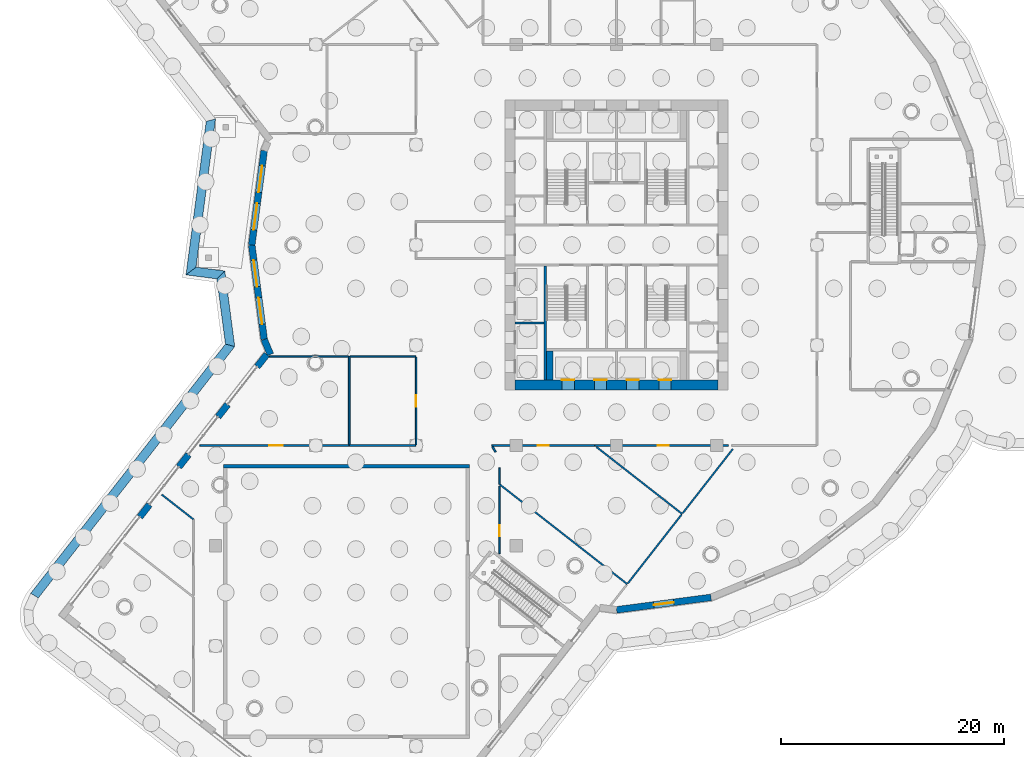
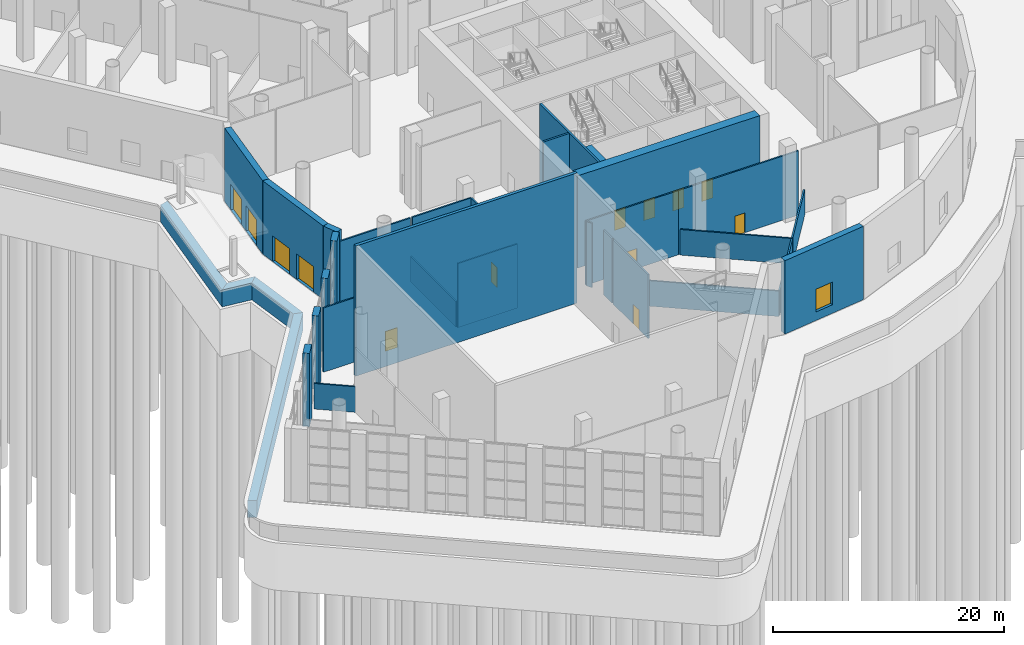
# One storey, part 12 of 34: 33 walls, 13 doors, 1 window, 14 openings.
"""IFC4 building model written with IfcOpenShell, lengths in metres."""

from ifc_helpers import new_model, si_unit, direction, frame, frame_2d, origin, place, context, subcontext, project, spatial, polyline, rectangle, outline, extrude, material, layer, layer_set, type_object, element, fill, save


model = new_model("IFC4")

# Units and contexts
model_context = context("Model", 3, precision=1e-05, world=origin(), true_north=direction((0.0, 1.0)))
body_context = subcontext(model_context, "Body", "Model", "MODEL_VIEW")
ifc_project = project(units=[si_unit("LENGTHUNIT", "METRE"), si_unit("AREAUNIT", "SQUARE_METRE"), si_unit("VOLUMEUNIT", "CUBIC_METRE"), si_unit("PLANEANGLEUNIT", "RADIAN"), si_unit("MASSUNIT", "GRAM", prefix="KILO")], contexts=[model_context])

# Site, building, storey
site_placement = place(None, origin())
site = spatial("IfcSite", under=ifc_project, at=site_placement, CompositionType="ELEMENT")
building_placement = place(site_placement, origin())
building = spatial("IfcBuilding", under=site, at=building_placement, Name="Tarsis Ring Headquarters", CompositionType="ELEMENT")
storey_placement = place(building_placement, origin())
storey = spatial("IfcBuildingStorey", under=building, at=storey_placement, Name="L00", CompositionType="ELEMENT", Elevation=0.0)

# Wall, openings, doors
ifc_material_1 = material(Name="Concrete C60/75", Category="concrete")
ifc_layer_1 = layer(ifc_material_1, 0.89990234375)
ifc_layer_set_1 = layer_set([ifc_layer_1], Name="Core wall 900 C60/75")
wall_type_1 = type_object("IfcWallType", Name="Core wall 900 C60/75", PredefinedType="SHEAR", material=ifc_layer_set_1)
wall_1_placement = place(storey_placement, frame((-9.10009765625, -12.550048828125, -2.0), z_axis=(0.0, 0.0, 1.0), x_axis=(1.0, 0.0, 0.0)))
wall_1 = element("IfcWall", 1, at=wall_1_placement, inside=storey, type_object=wall_type_1, Name="Core wall OS", PredefinedType="SHEAR", context=body_context, shape_type="SweptSolid", body=[
    extrude(rectangle(XDim=18.2001953125, YDim=0.89990234375, at=frame_2d((9.10009765625, 0.0))), origin(), (0.0, 0.0, 1.0), 9.75),
])
opening_1_placement = place(wall_1_placement, frame((4.199951171875, 0.0, 2.0)))
opening_1 = element("IfcOpeningElement", 2, at=opening_1_placement, cuts=wall_1, Name="Opening LD-S581", PredefinedType="OPENING", context=body_context, shape_type="SweptSolid", body=[
    extrude(rectangle(XDim=1.10009765625, YDim=2.10009765625, at=frame_2d((0.550048828125, 1.050048828125))), frame((0.0, 0.4599609375, 0.0), z_axis=(0.0, -1.0, 0.0), x_axis=(1.0, 0.0, 0.0)), (0.0, 0.0, 1.0), 0.919921875),
])
opening_2_placement = place(wall_1_placement, frame((7.10009765625, 0.0, 2.0)))
opening_2 = element("IfcOpeningElement", 3, at=opening_2_placement, cuts=wall_1, Name="Opening LD-S582", PredefinedType="OPENING", context=body_context, shape_type="SweptSolid", body=[
    extrude(rectangle(XDim=1.10009765625, YDim=2.10009765625, at=frame_2d((0.550048828125, 1.050048828125))), frame((0.0, 0.4599609375, 0.0), z_axis=(0.0, -1.0, 0.0), x_axis=(1.0, 0.0, 0.0)), (0.0, 0.0, 1.0), 0.919921875),
])
opening_3_placement = place(wall_1_placement, frame((10.0, 0.0, 2.0)))
opening_3 = element("IfcOpeningElement", 4, at=opening_3_placement, cuts=wall_1, Name="Opening LD-S583", PredefinedType="OPENING", context=body_context, shape_type="SweptSolid", body=[
    extrude(rectangle(XDim=1.10009765625, YDim=2.10009765625, at=frame_2d((0.550048828125, 1.050048828125))), frame((0.0, 0.4599609375, 0.0), z_axis=(0.0, -1.0, 0.0), x_axis=(1.0, 0.0, 0.0)), (0.0, 0.0, 1.0), 0.919921875),
])
opening_4_placement = place(wall_1_placement, frame((12.89990234375, 0.0, 2.0)))
opening_4 = element("IfcOpeningElement", 5, at=opening_4_placement, cuts=wall_1, Name="Opening LD-S584", PredefinedType="OPENING", context=body_context, shape_type="SweptSolid", body=[
    extrude(rectangle(XDim=1.10009765625, YDim=2.10009765625, at=frame_2d((0.550048828125, 1.050048828125))), frame((0.0, 0.4599609375, 0.0), z_axis=(0.0, -1.0, 0.0), x_axis=(1.0, 0.0, 0.0)), (0.0, 0.0, 1.0), 0.919921875),
])
ifc_material_2 = material(Name="Steel S355", Category="steel")
door_type_1 = type_object("IfcDoorType", Name="Landing door 1100x2100", OperationType="SLIDING_TO_LEFT", PredefinedType="DOOR", material=ifc_material_2)
door_1_placement = place(opening_1_placement, origin())
door_1 = element("IfcDoor", 6, at=door_1_placement, inside=storey, type_object=door_type_1, Name="Landing door S581 L00", OperationType="SLIDING_TO_LEFT", OverallHeight=2.10009765625, OverallWidth=1.10009765625, PredefinedType="DOOR", context=body_context, shape_type="SweptSolid", body=[
    extrude(rectangle(XDim=1.10009765625, YDim=2.10009765625, at=frame_2d((0.550048828125, 1.050048828125))), frame((0.0, 0.4501953125, 0.0), z_axis=(0.0, -1.0, 0.0), x_axis=(1.0, 0.0, 0.0)), (0.0, 0.0, 1.0), 0.050048828125),
])
fill(opening_1, door_1)
door_2_placement = place(opening_2_placement, origin())
door_2 = element("IfcDoor", 7, at=door_2_placement, inside=storey, type_object=door_type_1, Name="Landing door S582 L00", OperationType="SLIDING_TO_LEFT", OverallHeight=2.10009765625, OverallWidth=1.10009765625, PredefinedType="DOOR", context=body_context, shape_type="SweptSolid", body=[
    extrude(rectangle(XDim=1.10009765625, YDim=2.10009765625, at=frame_2d((0.550048828125, 1.050048828125))), frame((0.0, 0.4501953125, 0.0), z_axis=(0.0, -1.0, 0.0), x_axis=(1.0, 0.0, 0.0)), (0.0, 0.0, 1.0), 0.050048828125),
])
fill(opening_2, door_2)
door_3_placement = place(opening_3_placement, origin())
door_3 = element("IfcDoor", 8, at=door_3_placement, inside=storey, type_object=door_type_1, Name="Landing door S583 L00", OperationType="SLIDING_TO_LEFT", OverallHeight=2.10009765625, OverallWidth=1.10009765625, PredefinedType="DOOR", context=body_context, shape_type="SweptSolid", body=[
    extrude(rectangle(XDim=1.10009765625, YDim=2.10009765625, at=frame_2d((0.550048828125, 1.050048828125))), frame((0.0, 0.4501953125, 0.0), z_axis=(0.0, -1.0, 0.0), x_axis=(1.0, 0.0, 0.0)), (0.0, 0.0, 1.0), 0.050048828125),
])
fill(opening_3, door_3)
door_4_placement = place(opening_4_placement, origin())
door_4 = element("IfcDoor", 9, at=door_4_placement, inside=storey, type_object=door_type_1, Name="Landing door S584 L00", OperationType="SLIDING_TO_LEFT", OverallHeight=2.10009765625, OverallWidth=1.10009765625, PredefinedType="DOOR", context=body_context, shape_type="SweptSolid", body=[
    extrude(rectangle(XDim=1.10009765625, YDim=2.10009765625, at=frame_2d((0.550048828125, 1.050048828125))), frame((0.0, 0.4501953125, 0.0), z_axis=(0.0, -1.0, 0.0), x_axis=(1.0, 0.0, 0.0)), (0.0, 0.0, 1.0), 0.050048828125),
])
fill(opening_4, door_4)

# Walls
ifc_material_3 = material(Name="Concrete C40/50", Category="concrete")
ifc_layer_2 = layer(ifc_material_3, 0.800048828125)
ifc_layer_set_2 = layer_set([ifc_layer_2], Name="FD Plinth wall 800")
wall_type_2 = type_object("IfcWallType", Name="FD Plinth wall 800", PredefinedType="SOLIDWALL", material=ifc_layer_set_2)
wall_2_placement = place(storey_placement, frame((0.0, 0.0, -2.0)))
element("IfcWall", 10, at=wall_2_placement, inside=storey, type_object=wall_type_2, Name="Plinth wall 25", PredefinedType="SOLIDWALL", context=body_context, shape_type="SweptSolid", body=[
    extrude(outline(polyline([(-36.843994140625, 11.099609375), (-38.65771484375, -2.677001953125), (-37.76025390625, -1.98828125), (-36.007080078125, 11.327392578125), (-36.843994140625, 11.099609375)])), origin(), (0.0, 0.0, 1.0), 1.800048828125),
])
wall_3_placement = place(storey_placement, frame((0.0, 0.0, -2.0)))
element("IfcWall", 11, at=wall_3_placement, inside=storey, type_object=wall_type_2, Name="Plinth wall 26", PredefinedType="SOLIDWALL", context=body_context, shape_type="SweptSolid", body=[
    extrude(outline(polyline([(-38.65771484375, -2.677001953125), (-35.887451171875, -3.041748046875), (-35.174560546875, -2.32861328125), (-37.76025390625, -1.98828125), (-38.65771484375, -2.677001953125)])), origin(), (0.0, 0.0, 1.0), 1.800048828125),
])
wall_4_placement = place(storey_placement, frame((0.0, 0.0, -2.0)))
element("IfcWall", 12, at=wall_4_placement, inside=storey, type_object=wall_type_2, Name="Plinth wall 27", PredefinedType="SOLIDWALL", context=body_context, shape_type="SweptSolid", body=[
    extrude(outline(polyline([(-35.887451171875, -3.041748046875), (-35.11767578125, -8.889892578125), (-34.28076171875, -9.117919921875), (-35.174560546875, -2.32861328125), (-35.887451171875, -3.041748046875)])), origin(), (0.0, 0.0, 1.0), 1.800048828125),
])
wall_5_placement = place(storey_placement, frame((0.0, 0.0, -2.0)))
element("IfcWall", 13, at=wall_5_placement, inside=storey, type_object=wall_type_2, Name="Plinth wall 28", PredefinedType="SOLIDWALL", context=body_context, shape_type="SweptSolid", body=[
    extrude(outline(polyline([(-35.11767578125, -8.889892578125), (-52.60595703125, -31.27392578125), (-51.91552734375, -31.689453125), (-34.28076171875, -9.117919921875), (-35.11767578125, -8.889892578125)])), origin(), (0.0, 0.0, 1.0), 1.800048828125),
])
ifc_material_4 = material(Name="Plasterboard partition")
ifc_layer_3 = layer(ifc_material_4, 0.14990234375)
ifc_layer_set_3 = layer_set([ifc_layer_3], Name="PO-PW150")
wall_type_3 = type_object("IfcWallType", Name="PO-PW150", PredefinedType="PARTITIONING", material=ifc_layer_set_3)
wall_6_placement = place(storey_placement, frame((-10.5, -21.491455078125, 0.0), z_axis=(0.0, 0.0, 1.0), x_axis=(0.788008847943, -0.615663914456, 0.0)))
element("IfcWall", 14, at=wall_6_placement, inside=storey, type_object=wall_type_3, Name="L00 partition wall 6", PredefinedType="PARTITIONING", context=body_context, shape_type="SweptSolid", body=[
    extrude(rectangle(XDim=14.542724609375, YDim=0.14990234375, at=frame_2d((7.271484375, 0.0))), origin(), (0.0, 0.0, 1.0), 2.699951171875),
])
wall_7_placement = place(storey_placement, frame((-1.801513671875, -18.135498046875, 0.0), z_axis=(0.0, 0.0, 1.0), x_axis=(0.78801071311, -0.615661527159, 0.0)))
element("IfcWall", 15, at=wall_7_placement, inside=storey, type_object=wall_type_3, Name="L00 partition wall 24", PredefinedType="PARTITIONING", context=body_context, shape_type="SweptSolid", body=[
    extrude(rectangle(XDim=9.75439453125, YDim=0.14990234375, at=frame_2d((4.877197265625, 0.0))), origin(), (0.0, 0.0, 1.0), 2.699951171875),
])
wall_8_placement = place(storey_placement, frame((-24.0, -17.919921875, 0.0), z_axis=(0.0, 0.0, 1.0), x_axis=(0.0, 1.0, 0.0)))
element("IfcWall", 16, at=wall_8_placement, inside=storey, type_object=wall_type_3, Name="L00 partition wall 35", PredefinedType="PARTITIONING", context=body_context, shape_type="SweptSolid", body=[
    extrude(rectangle(XDim=7.919921875, YDim=0.14990234375, at=frame_2d((3.9599609375, 0.0))), origin(), (0.0, 0.0, 1.0), 2.699951171875),
])
wall_9_placement = place(storey_placement, frame((1.009033203125, -30.3818359375, 0.0), z_axis=(0.0, 0.0, 1.0), x_axis=(0.61565310656, 0.788017291932, 0.0)))
element("IfcWall", 17, at=wall_9_placement, inside=storey, type_object=wall_type_3, Name="L00 partition wall 36", PredefinedType="PARTITIONING", context=body_context, shape_type="SweptSolid", body=[
    extrude(rectangle(XDim=7.83984375, YDim=0.14990234375, at=frame_2d((3.919921875, 0.0))), origin(), (0.0, 0.0, 1.0), 2.699951171875),
])
wall_10_placement = place(storey_placement, frame((10.441650390625, -18.31005859375, 0.0), z_axis=(0.0, 0.0, 1.0), x_axis=(-0.615652455891, -0.788017800278, 0.0)))
element("IfcWall", 18, at=wall_10_placement, inside=storey, type_object=wall_type_3, Name="L00 partition wall 43", PredefinedType="PARTITIONING", context=body_context, shape_type="SweptSolid", body=[
    extrude(rectangle(XDim=7.320068359375, YDim=0.14990234375, at=frame_2d((3.66015625, 0.0))), origin(), (0.0, 0.0, 1.0), 2.699951171875),
])
wall_11_placement = place(storey_placement, frame((-38.0, -24.625244140625, 0.0), z_axis=(0.0, 0.0, 1.0), x_axis=(-0.78798343167, 0.615696444211, 0.0)))
element("IfcWall", 19, at=wall_11_placement, inside=storey, type_object=wall_type_3, Name="L00 partition wall 74", PredefinedType="PARTITIONING", context=body_context, shape_type="SweptSolid", body=[
    extrude(rectangle(XDim=3.6162109375, YDim=0.14990234375, at=frame_2d((1.80810546875, 0.0))), origin(), (0.0, 0.0, 1.0), 2.699951171875),
])

# Wall, opening, door
ifc_layer_4 = layer(ifc_material_4, 0.14990234375)
ifc_layer_set_4 = layer_set([ifc_layer_4], Name="PO-PW150R-6783")
wall_type_4 = type_object("IfcWallType", Name="PO-PW150R-6783", PredefinedType="PARTITIONING", material=ifc_layer_set_4)
wall_12_placement = place(storey_placement, frame((-37.4130859375, -18.0, 0.0), z_axis=(0.0, 0.0, 1.0), x_axis=(1.0, 0.0, 0.0)))
wall_12 = element("IfcWall", 20, at=wall_12_placement, inside=storey, type_object=wall_type_4, Name="L00 partition wall 8", PredefinedType="PARTITIONING", context=body_context, shape_type="SweptSolid", body=[
    extrude(rectangle(XDim=13.4130859375, YDim=0.14990234375, at=frame_2d((6.70654296875, 0.0))), origin(), (0.0, 0.0, 1.0), 6.782958984375),
])
opening_5_placement = place(wall_12_placement, frame((6.223876953125, 0.0, 0.0)))
opening_5 = element("IfcOpeningElement", 21, at=opening_5_placement, cuts=wall_12, Name="Opening PO-D2", PredefinedType="OPENING", context=body_context, shape_type="SweptSolid", body=[
    extrude(rectangle(XDim=1.199951171875, YDim=2.10009765625, at=frame_2d((0.60009765625, 1.050048828125))), frame((0.0, 0.0849609375, 0.0), z_axis=(0.0, -1.0, 0.0), x_axis=(1.0, 0.0, 0.0)), (0.0, 0.0, 1.0), 0.169921875),
])
ifc_material_5 = material(Name="Timber door", Category="wood")
door_type_2 = type_object("IfcDoorType", Name="PO-D1200", OperationType="NOTDEFINED", PredefinedType="DOOR", material=ifc_material_5)
door_5_placement = place(opening_5_placement, origin())
door_5 = element("IfcDoor", 22, at=door_5_placement, inside=storey, type_object=door_type_2, Name="Visitor centre door", OperationType="SINGLE_SWING_RIGHT", OverallHeight=2.10009765625, OverallWidth=1.199951171875, PredefinedType="DOOR", context=body_context, shape_type="SweptSolid", body=[
    extrude(rectangle(XDim=1.199951171875, YDim=2.10009765625, at=frame_2d((0.60009765625, 1.050048828125))), frame((0.0, 0.02490234375, 0.0), z_axis=(0.0, -1.0, 0.0), x_axis=(1.0, 0.0, 0.0)), (0.0, 0.0, 1.0), 0.050048828125),
])
fill(opening_5, door_5)

wall_13_placement = place(storey_placement, frame((10.044677734375, -18.0, 0.0), z_axis=(0.0, 0.0, 1.0), x_axis=(-1.0, 0.0, 0.0)))
wall_13 = element("IfcWall", 23, at=wall_13_placement, inside=storey, type_object=wall_type_4, Name="L00 partition wall 10", PredefinedType="PARTITIONING", context=body_context, shape_type="SweptSolid", body=[
    extrude(rectangle(XDim=12.01953125, YDim=0.14990234375, at=frame_2d((6.009765625, 0.0))), origin(), (0.0, 0.0, 1.0), 6.782958984375),
])
opening_6_placement = place(wall_13_placement, frame((5.3701171875, 0.0, 0.0)))
opening_6 = element("IfcOpeningElement", 24, at=opening_6_placement, cuts=wall_13, Name="Opening PO-D1", PredefinedType="OPENING", context=body_context, shape_type="SweptSolid", body=[
    extrude(rectangle(XDim=1.0, YDim=2.10009765625, at=frame_2d((0.5, 1.050048828125))), frame((0.0, 0.0849609375, 0.0), z_axis=(0.0, -1.0, 0.0), x_axis=(1.0, 0.0, 0.0)), (0.0, 0.0, 1.0), 0.169921875),
])
door_type_3 = type_object("IfcDoorType", Name="PO-D1000", OperationType="NOTDEFINED", PredefinedType="DOOR", material=ifc_material_5)
door_6_placement = place(opening_6_placement, origin())
door_6 = element("IfcDoor", 25, at=door_6_placement, inside=storey, type_object=door_type_3, Name="Dressing room door", OperationType="SINGLE_SWING_RIGHT", OverallHeight=2.10009765625, OverallWidth=1.0, PredefinedType="DOOR", context=body_context, shape_type="SweptSolid", body=[
    extrude(rectangle(XDim=1.0, YDim=2.10009765625, at=frame_2d((0.5, 1.050048828125))), frame((0.0, 0.02490234375, 0.0), z_axis=(0.0, -1.0, 0.0), x_axis=(1.0, 0.0, 0.0)), (0.0, 0.0, 1.0), 0.050048828125),
])
fill(opening_6, door_6)

wall_14_placement = place(storey_placement, frame((-1.974853515625, -18.0, 0.0), z_axis=(0.0, 0.0, 1.0), x_axis=(-1.0, 0.0, 0.0)))
wall_14 = element("IfcWall", 26, at=wall_14_placement, inside=storey, type_object=wall_type_4, Name="L00 partition wall 27", PredefinedType="PARTITIONING", context=body_context, shape_type="SweptSolid", body=[
    extrude(rectangle(XDim=9.212890625, YDim=0.14990234375, at=frame_2d((4.6064453125, 0.0))), origin(), (0.0, 0.0, 1.0), 6.782958984375),
])
opening_7_placement = place(wall_14_placement, frame((4.1201171875, 0.0, 0.0)))
opening_7 = element("IfcOpeningElement", 27, at=opening_7_placement, cuts=wall_14, Name="Opening PO-D1", PredefinedType="OPENING", context=body_context, shape_type="SweptSolid", body=[
    extrude(rectangle(XDim=1.0, YDim=2.10009765625, at=frame_2d((0.5, 1.050048828125))), frame((0.0, 0.0849609375, 0.0), z_axis=(0.0, -1.0, 0.0), x_axis=(1.0, 0.0, 0.0)), (0.0, 0.0, 1.0), 0.169921875),
])
door_7_placement = place(opening_7_placement, origin())
door_7 = element("IfcDoor", 28, at=door_7_placement, inside=storey, type_object=door_type_3, Name="Green room door", OperationType="SINGLE_SWING_LEFT", OverallHeight=2.10009765625, OverallWidth=1.0, PredefinedType="DOOR", context=body_context, shape_type="SweptSolid", body=[
    extrude(rectangle(XDim=1.0, YDim=2.10009765625, at=frame_2d((0.5, 1.050048828125))), frame((0.0, 0.02490234375, 0.0), z_axis=(0.0, -1.0, 0.0), x_axis=(1.0, 0.0, 0.0)), (0.0, 0.0, 1.0), 0.050048828125),
])
fill(opening_7, door_7)

wall_15_placement = place(storey_placement, frame((-18.0, -17.940185546875, 0.0), z_axis=(0.0, 0.0, 1.0), x_axis=(0.0, 1.0, 0.0)))
wall_15 = element("IfcWall", 29, at=wall_15_placement, inside=storey, type_object=wall_type_4, Name="L00 partition wall 40", PredefinedType="PARTITIONING", context=body_context, shape_type="SweptSolid", body=[
    extrude(rectangle(XDim=7.880126953125, YDim=0.14990234375, at=frame_2d((3.93994140625, 0.0))), origin(), (0.0, 0.0, 1.0), 6.782958984375),
])
opening_8_placement = place(wall_15_placement, frame((3.440185546875, 0.0, 0.0)))
opening_8 = element("IfcOpeningElement", 30, at=opening_8_placement, cuts=wall_15, Name="Opening PO-D1", PredefinedType="OPENING", context=body_context, shape_type="SweptSolid", body=[
    extrude(rectangle(XDim=1.0, YDim=2.10009765625, at=frame_2d((0.5, 1.050048828125))), frame((0.0, 0.0849609375, 0.0), z_axis=(0.0, -1.0, 0.0), x_axis=(1.0, 0.0, 0.0)), (0.0, 0.0, 1.0), 0.169921875),
])
door_8_placement = place(opening_8_placement, origin())
door_8 = element("IfcDoor", 31, at=door_8_placement, inside=storey, type_object=door_type_3, Name="Information office door", OperationType="SINGLE_SWING_LEFT", OverallHeight=2.10009765625, OverallWidth=1.0, PredefinedType="DOOR", context=body_context, shape_type="SweptSolid", body=[
    extrude(rectangle(XDim=1.0, YDim=2.10009765625, at=frame_2d((0.5, 1.050048828125))), frame((0.0, 0.02490234375, 0.0), z_axis=(0.0, -1.0, 0.0), x_axis=(1.0, 0.0, 0.0)), (0.0, 0.0, 1.0), 0.050048828125),
])
fill(opening_8, door_8)

# Wall
wall_16_placement = place(storey_placement, frame((-24.080078125, -10.0, 0.0), z_axis=(0.0, 0.0, 1.0), x_axis=(-1.0, 0.0, 0.0)))
element("IfcWall", 32, at=wall_16_placement, inside=storey, type_object=wall_type_4, Name="L00 partition wall 45", PredefinedType="PARTITIONING", context=body_context, shape_type="SweptSolid", body=[
    extrude(rectangle(XDim=7.082763671875, YDim=0.14990234375, at=frame_2d((3.54150390625, 0.0))), origin(), (0.0, 0.0, 1.0), 6.782958984375),
])

# Wall, opening, door
wall_17_placement = place(storey_placement, frame((-10.5, -21.651611328125, 0.0), z_axis=(0.0, 0.0, 1.0), x_axis=(0.0, -1.0, 0.0)))
wall_17 = element("IfcWall", 33, at=wall_17_placement, inside=storey, type_object=wall_type_4, Name="L00 partition wall 53", PredefinedType="PARTITIONING", context=body_context, shape_type="SweptSolid", body=[
    extrude(rectangle(XDim=6.0537109375, YDim=0.14990234375, at=frame_2d((3.02685546875, 0.0))), origin(), (0.0, 0.0, 1.0), 6.782958984375),
])
opening_9_placement = place(wall_17_placement, frame((3.488525390625, 0.0, 0.0)))
opening_9 = element("IfcOpeningElement", 34, at=opening_9_placement, cuts=wall_17, Name="Opening PO-D1", PredefinedType="OPENING", context=body_context, shape_type="SweptSolid", body=[
    extrude(rectangle(XDim=1.0, YDim=2.10009765625, at=frame_2d((0.5, 1.050048828125))), frame((0.0, 0.0849609375, 0.0), z_axis=(0.0, -1.0, 0.0), x_axis=(1.0, 0.0, 0.0)), (0.0, 0.0, 1.0), 0.169921875),
])
door_9_placement = place(opening_9_placement, origin())
door_9 = element("IfcDoor", 35, at=door_9_placement, inside=storey, type_object=door_type_3, Name="Stage workshop door", OperationType="SINGLE_SWING_RIGHT", OverallHeight=2.10009765625, OverallWidth=1.0, PredefinedType="DOOR", context=body_context, shape_type="SweptSolid", body=[
    extrude(rectangle(XDim=1.0, YDim=2.10009765625, at=frame_2d((0.5, 1.050048828125))), frame((0.0, 0.02490234375, 0.0), z_axis=(0.0, -1.0, 0.0), x_axis=(1.0, 0.0, 0.0)), (0.0, 0.0, 1.0), 0.050048828125),
])
fill(opening_9, door_9)

# Walls
wall_18_placement = place(storey_placement, frame((-24.0, -18.0, 0.0), z_axis=(0.0, 0.0, 1.0), x_axis=(1.0, 0.0, 0.0)))
element("IfcWall", 36, at=wall_18_placement, inside=storey, type_object=wall_type_4, Name="L00 partition wall 58", PredefinedType="PARTITIONING", context=body_context, shape_type="SweptSolid", body=[
    extrude(rectangle(XDim=5.9599609375, YDim=0.14990234375, at=frame_2d((2.97998046875, 0.0))), origin(), (0.0, 0.0, 1.0), 6.782958984375),
])
wall_19_placement = place(storey_placement, frame((-18.0400390625, -10.0, 0.0), z_axis=(0.0, 0.0, 1.0), x_axis=(-1.0, 0.0, 0.0)))
element("IfcWall", 37, at=wall_19_placement, inside=storey, type_object=wall_type_4, Name="L00 partition wall 59", PredefinedType="PARTITIONING", context=body_context, shape_type="SweptSolid", body=[
    extrude(rectangle(XDim=5.8798828125, YDim=0.14990234375, at=frame_2d((2.93994140625, 0.0))), origin(), (0.0, 0.0, 1.0), 6.782958984375),
])
wall_20_placement = place(storey_placement, frame((-10.5, -20.0, 0.0), z_axis=(0.0, 0.0, 1.0), x_axis=(0.0, -1.0, 0.0)))
element("IfcWall", 38, at=wall_20_placement, inside=storey, type_object=wall_type_4, Name="L00 partition wall 93", PredefinedType="PARTITIONING", context=body_context, shape_type="SweptSolid", body=[
    extrude(rectangle(XDim=1.491455078125, YDim=0.14990234375, at=frame_2d((0.74560546875, 0.0))), origin(), (0.0, 0.0, 1.0), 6.782958984375),
])
wall_21_placement = place(storey_placement, frame((-11.13623046875, -18.115234375, 0.0), z_axis=(0.0, 0.0, 1.0), x_axis=(0.514102956652, -0.857728482657, 0.0)))
element("IfcWall", 39, at=wall_21_placement, inside=storey, type_object=wall_type_4, Name="L00 partition wall 102", PredefinedType="PARTITIONING", context=body_context, shape_type="SweptSolid", body=[
    extrude(rectangle(XDim=0.548583984375, YDim=0.14990234375, at=frame_2d((0.2744140625, 0.0))), origin(), (0.0, 0.0, 1.0), 6.782958984375),
])
ifc_layer_5 = layer(ifc_material_3, 0.300048828125)
ifc_layer_set_5 = layer_set([ifc_layer_5], Name="PO-W300")
wall_type_5 = type_object("IfcWallType", Name="PO-W300", PredefinedType="SOLIDWALL", material=ifc_layer_set_5)
wall_22_placement = place(storey_placement, frame((-13.199951171875, -19.85009765625, 0.0), z_axis=(0.0, 0.0, 1.0), x_axis=(-1.0, 0.0, 0.0)))
element("IfcWall", 40, at=wall_22_placement, inside=storey, type_object=wall_type_5, Name="Auditorium wall 3", PredefinedType="SOLIDWALL", context=body_context, shape_type="SweptSolid", body=[
    extrude(rectangle(XDim=22.10009765625, YDim=0.300048828125, at=frame_2d((11.050048828125, 0.0))), origin(), (0.0, 0.0, 1.0), 13.75),
])

# Wall, openings, doors
ifc_layer_6 = layer(ifc_material_1, 0.60009765625)
ifc_layer_set_6 = layer_set([ifc_layer_6], Name="PO-W600")
wall_type_6 = type_object("IfcWallType", Name="PO-W600", PredefinedType="SOLIDWALL", material=ifc_layer_set_6)
wall_23_placement = place(storey_placement, frame((-31.6416015625, 8.478271484375, 0.0), z_axis=(0.0, 0.0, 1.0), x_axis=(-0.130529102837, -0.991444478179, 0.0)))
wall_23 = element("IfcWall", 41, at=wall_23_placement, inside=storey, type_object=wall_type_6, Name="L00 external wall 3", PredefinedType="SOLIDWALL", context=body_context, shape_type="SweptSolid", body=[
    extrude(rectangle(XDim=8.551513671875, YDim=0.60009765625, at=frame_2d((4.27587890625, 0.0))), origin(), (0.0, 0.0, 1.0), 7.75),
])
opening_10_placement = place(wall_23_placement, frame((1.365478515625, 0.0, 0.0)))
opening_10 = element("IfcOpeningElement", 42, at=opening_10_placement, cuts=wall_23, Name="Opening PO-D4", PredefinedType="OPENING", context=body_context, shape_type="SweptSolid", body=[
    extrude(rectangle(XDim=2.39990234375, YDim=2.699951171875, at=frame_2d((1.199951171875, 1.35009765625))), frame((0.0, 0.31005859375, 0.0), z_axis=(0.0, -1.0, 0.0), x_axis=(1.0, 0.0, 0.0)), (0.0, 0.0, 1.0), 0.6201171875),
])
opening_11_placement = place(wall_23_placement, frame((4.7861328125, 0.0, 0.0)))
opening_11 = element("IfcOpeningElement", 43, at=opening_11_placement, cuts=wall_23, Name="Opening PO-D4", PredefinedType="OPENING", context=body_context, shape_type="SweptSolid", body=[
    extrude(rectangle(XDim=2.39990234375, YDim=2.699951171875, at=frame_2d((1.199951171875, 1.35009765625))), frame((0.0, 0.31005859375, 0.0), z_axis=(0.0, -1.0, 0.0), x_axis=(1.0, 0.0, 0.0)), (0.0, 0.0, 1.0), 0.6201171875),
])
ifc_material_6 = material(Name="Aluminium and glass door", Category="aluminium")
door_type_4 = type_object("IfcDoorType", Name="PO-D2400", OperationType="DOUBLE_DOOR_SINGLE_SWING", PredefinedType="DOOR", material=ifc_material_6)
door_10_placement = place(opening_10_placement, origin())
door_10 = element("IfcDoor", 44, at=door_10_placement, inside=storey, type_object=door_type_4, Name="Main entrance door 1", OperationType="SINGLE_SWING_LEFT", OverallHeight=2.699951171875, OverallWidth=2.39990234375, PredefinedType="DOOR", context=body_context, shape_type="SweptSolid", body=[
    extrude(rectangle(XDim=2.39990234375, YDim=2.699951171875, at=frame_2d((1.199951171875, 1.35009765625))), frame((0.0, 0.02490234375, 0.0), z_axis=(0.0, -1.0, 0.0), x_axis=(1.0, 0.0, 0.0)), (0.0, 0.0, 1.0), 0.050048828125),
])
fill(opening_10, door_10)
door_11_placement = place(opening_11_placement, origin())
door_11 = element("IfcDoor", 45, at=door_11_placement, inside=storey, type_object=door_type_4, Name="Main entrance door 2", OperationType="SINGLE_SWING_LEFT", OverallHeight=2.699951171875, OverallWidth=2.39990234375, PredefinedType="DOOR", context=body_context, shape_type="SweptSolid", body=[
    extrude(rectangle(XDim=2.39990234375, YDim=2.699951171875, at=frame_2d((1.199951171875, 1.35009765625))), frame((0.0, 0.02490234375, 0.0), z_axis=(0.0, -1.0, 0.0), x_axis=(1.0, 0.0, 0.0)), (0.0, 0.0, 1.0), 0.050048828125),
])
fill(opening_11, door_11)

wall_24_placement = place(storey_placement, frame((-32.7578125, 0.0, 0.0), z_axis=(0.0, 0.0, 1.0), x_axis=(0.130529102837, -0.991444478179, 0.0)))
wall_24 = element("IfcWall", 46, at=wall_24_placement, inside=storey, type_object=wall_type_6, Name="L00 external wall 4", PredefinedType="SOLIDWALL", context=body_context, shape_type="SweptSolid", body=[
    extrude(rectangle(XDim=8.551513671875, YDim=0.60009765625, at=frame_2d((4.27587890625, 0.0))), origin(), (0.0, 0.0, 1.0), 7.75),
])
opening_12_placement = place(wall_24_placement, frame((1.365478515625, 0.0, 0.0)))
opening_12 = element("IfcOpeningElement", 47, at=opening_12_placement, cuts=wall_24, Name="Opening PO-D4", PredefinedType="OPENING", context=body_context, shape_type="SweptSolid", body=[
    extrude(rectangle(XDim=2.39990234375, YDim=2.699951171875, at=frame_2d((1.199951171875, 1.35009765625))), frame((0.0, 0.31005859375, 0.0), z_axis=(0.0, -1.0, 0.0), x_axis=(1.0, 0.0, 0.0)), (0.0, 0.0, 1.0), 0.6201171875),
])
opening_13_placement = place(wall_24_placement, frame((4.7861328125, 0.0, 0.0)))
opening_13 = element("IfcOpeningElement", 48, at=opening_13_placement, cuts=wall_24, Name="Opening PO-D4", PredefinedType="OPENING", context=body_context, shape_type="SweptSolid", body=[
    extrude(rectangle(XDim=2.39990234375, YDim=2.699951171875, at=frame_2d((1.199951171875, 1.35009765625))), frame((0.0, 0.31005859375, 0.0), z_axis=(0.0, -1.0, 0.0), x_axis=(1.0, 0.0, 0.0)), (0.0, 0.0, 1.0), 0.6201171875),
])
door_12_placement = place(opening_12_placement, origin())
door_12 = element("IfcDoor", 49, at=door_12_placement, inside=storey, type_object=door_type_4, Name="Main entrance door 1", OperationType="SINGLE_SWING_LEFT", OverallHeight=2.699951171875, OverallWidth=2.39990234375, PredefinedType="DOOR", context=body_context, shape_type="SweptSolid", body=[
    extrude(rectangle(XDim=2.39990234375, YDim=2.699951171875, at=frame_2d((1.199951171875, 1.35009765625))), frame((0.0, 0.02490234375, 0.0), z_axis=(0.0, -1.0, 0.0), x_axis=(1.0, 0.0, 0.0)), (0.0, 0.0, 1.0), 0.050048828125),
])
fill(opening_12, door_12)
door_13_placement = place(opening_13_placement, origin())
door_13 = element("IfcDoor", 50, at=door_13_placement, inside=storey, type_object=door_type_4, Name="Main entrance door 2", OperationType="SINGLE_SWING_LEFT", OverallHeight=2.699951171875, OverallWidth=2.39990234375, PredefinedType="DOOR", context=body_context, shape_type="SweptSolid", body=[
    extrude(rectangle(XDim=2.39990234375, YDim=2.699951171875, at=frame_2d((1.199951171875, 1.35009765625))), frame((0.0, 0.02490234375, 0.0), z_axis=(0.0, -1.0, 0.0), x_axis=(1.0, 0.0, 0.0)), (0.0, 0.0, 1.0), 0.050048828125),
])
fill(opening_13, door_13)

# Walls
wall_25_placement = place(storey_placement, frame((-31.6416015625, -8.478271484375, 0.0), z_axis=(0.0, 0.0, 1.0), x_axis=(0.382709854909, -0.923868587493, 0.0)))
element("IfcWall", 51, at=wall_25_placement, inside=storey, type_object=wall_type_6, Name="L00 external wall 5", PredefinedType="SOLIDWALL", context=body_context, shape_type="SweptSolid", body=[
    extrude(rectangle(XDim=1.46533203125, YDim=0.60009765625, at=frame_2d((0.732666015625, 0.0))), origin(), (0.0, 0.0, 1.0), 7.75),
])
wall_26_placement = place(storey_placement, frame((-31.405029296875, -9.82275390625, 0.0), z_axis=(0.0, 0.0, 1.0), x_axis=(-0.615593278576, -0.788064029995, 0.0)))
element("IfcWall", 52, at=wall_26_placement, inside=storey, type_object=wall_type_6, Name="L00 shopfront pier 6.1", PredefinedType="SOLIDWALL", context=body_context, shape_type="SweptSolid", body=[
    extrude(rectangle(XDim=1.39990234375, YDim=0.60009765625, at=frame_2d((0.699951171875, 0.0))), origin(), (0.0, 0.0, 1.0), 7.75),
])
wall_27_placement = place(storey_placement, frame((-34.917236328125, -14.318359375, 0.0), z_axis=(0.0, 0.0, 1.0), x_axis=(-0.615701564558, -0.787979430823, 0.0)))
element("IfcWall", 53, at=wall_27_placement, inside=storey, type_object=wall_type_6, Name="L00 shopfront pier 6.2", PredefinedType="SOLIDWALL", context=body_context, shape_type="SweptSolid", body=[
    extrude(rectangle(XDim=1.400146484375, YDim=0.60009765625, at=frame_2d((0.7001953125, 0.0))), origin(), (0.0, 0.0, 1.0), 7.75),
])
wall_28_placement = place(storey_placement, frame((-38.4296875, -18.81396484375, 0.0), z_axis=(0.0, 0.0, 1.0), x_axis=(-0.615677887469, -0.78799793076, 0.0)))
element("IfcWall", 54, at=wall_28_placement, inside=storey, type_object=wall_type_6, Name="L00 shopfront pier 6.3", PredefinedType="SOLIDWALL", context=body_context, shape_type="SweptSolid", body=[
    extrude(rectangle(XDim=1.39990234375, YDim=0.60009765625, at=frame_2d((0.699951171875, 0.0))), origin(), (0.0, 0.0, 1.0), 7.75),
])
wall_29_placement = place(storey_placement, frame((-41.94189453125, -23.309326171875, 0.0), z_axis=(0.0, 0.0, 1.0), x_axis=(-0.615701564558, -0.787979430823, 0.0)))
element("IfcWall", 55, at=wall_29_placement, inside=storey, type_object=wall_type_6, Name="L00 shopfront pier 6.4", PredefinedType="SOLIDWALL", context=body_context, shape_type="SweptSolid", body=[
    extrude(rectangle(XDim=1.400146484375, YDim=0.60009765625, at=frame_2d((0.7001953125, 0.0))), origin(), (0.0, 0.0, 1.0), 7.75),
])

# Wall, opening, window
wall_30_placement = place(storey_placement, frame((0.0, -32.7578125, 0.0), z_axis=(0.0, 0.0, 1.0), x_axis=(0.991444478179, 0.130529102837, 0.0)))
wall_30 = element("IfcWall", 56, at=wall_30_placement, inside=storey, type_object=wall_type_6, Name="L00 external wall 10", PredefinedType="SOLIDWALL", context=body_context, shape_type="SweptSolid", body=[
    extrude(rectangle(XDim=8.551513671875, YDim=0.60009765625, at=frame_2d((4.27587890625, 0.0))), origin(), (0.0, 0.0, 1.0), 7.75),
])
opening_14_placement = place(wall_30_placement, frame((3.375732421875, 0.0, 0.89990234375)))
opening_14 = element("IfcOpeningElement", 57, at=opening_14_placement, cuts=wall_30, Name="Opening PO-WN1", PredefinedType="OPENING", context=body_context, shape_type="SweptSolid", body=[
    extrude(rectangle(XDim=1.800048828125, YDim=2.39990234375, at=frame_2d((0.89990234375, 1.199951171875))), frame((0.0, 0.31005859375, 0.0), z_axis=(0.0, -1.0, 0.0), x_axis=(1.0, 0.0, 0.0)), (0.0, 0.0, 1.0), 0.6201171875),
])
ifc_material_7 = material(Name="Double glazing", Category="glass")
window_type = type_object("IfcWindowType", Name="PO-WN1800", PartitioningType="SINGLE_PANEL", PredefinedType="WINDOW", material=ifc_material_7)
window_placement = place(opening_14_placement, origin())
window = element("IfcWindow", 58, at=window_placement, inside=storey, type_object=window_type, Name="L00 window 10.1", OverallHeight=2.39990234375, OverallWidth=1.800048828125, PartitioningType="SINGLE_PANEL", PredefinedType="WINDOW", context=body_context, shape_type="SweptSolid", body=[
    extrude(rectangle(XDim=1.800048828125, YDim=2.39990234375, at=frame_2d((0.89990234375, 1.199951171875))), frame((0.0, 0.030029296875, 0.0), z_axis=(0.0, -1.0, 0.0), x_axis=(1.0, 0.0, 0.0)), (0.0, 0.0, 1.0), 0.06005859375),
])
fill(opening_14, window)

# Walls
ifc_material_8 = material(Name="Concrete C32/40", Category="concrete")
ifc_layer_7 = layer(ifc_material_8, 0.60009765625)
ifc_layer_set_7 = layer_set([ifc_layer_7], Name="Shaft end wall 600 C32/40")
wall_type_7 = type_object("IfcWallType", Name="Shaft end wall 600 C32/40", PredefinedType="SOLIDWALL", material=ifc_layer_set_7)
wall_31_placement = place(storey_placement, frame((-6.0, -12.10009765625, -2.0), z_axis=(0.0, 0.0, 1.0), x_axis=(0.0, 1.0, 0.0)))
element("IfcWall", 59, at=wall_31_placement, inside=storey, type_object=wall_type_7, Name="Core shaft wall SNE1", PredefinedType="SOLIDWALL", context=body_context, shape_type="SweptSolid", body=[
    extrude(rectangle(XDim=2.60009765625, YDim=0.60009765625, at=frame_2d((1.300048828125, 0.0))), origin(), (0.0, 0.0, 1.0), 9.75),
])
ifc_layer_8 = layer(ifc_material_8, 0.199951171875)
ifc_layer_set_8 = layer_set([ifc_layer_8], Name="Shaft wall 200 C32/40")
wall_type_8 = type_object("IfcWallType", Name="Shaft wall 200 C32/40", PredefinedType="SOLIDWALL", material=ifc_layer_set_8)
wall_32_placement = place(storey_placement, frame((-6.39990234375, -12.10009765625, -2.0), z_axis=(0.0, 0.0, 1.0), x_axis=(0.0, 1.0, 0.0)))
element("IfcWall", 60, at=wall_32_placement, inside=storey, type_object=wall_type_8, Name="Core shaft wall WB1", PredefinedType="SOLIDWALL", context=body_context, shape_type="SweptSolid", body=[
    extrude(rectangle(XDim=10.2001953125, YDim=0.199951171875, at=frame_2d((5.10009765625, 0.0))), origin(), (0.0, 0.0, 1.0), 9.75),
])
wall_33_placement = place(storey_placement, frame((-9.10009765625, -7.0, -2.0), z_axis=(0.0, 0.0, 1.0), x_axis=(1.0, 0.0, 0.0)))
element("IfcWall", 61, at=wall_33_placement, inside=storey, type_object=wall_type_8, Name="Core shaft wall WD2", PredefinedType="SOLIDWALL", context=body_context, shape_type="SweptSolid", body=[
    extrude(rectangle(XDim=2.60009765625, YDim=0.199951171875, at=frame_2d((1.300048828125, 0.0))), origin(), (0.0, 0.0, 1.0), 9.75),
])

save(model, "model.ifc")
